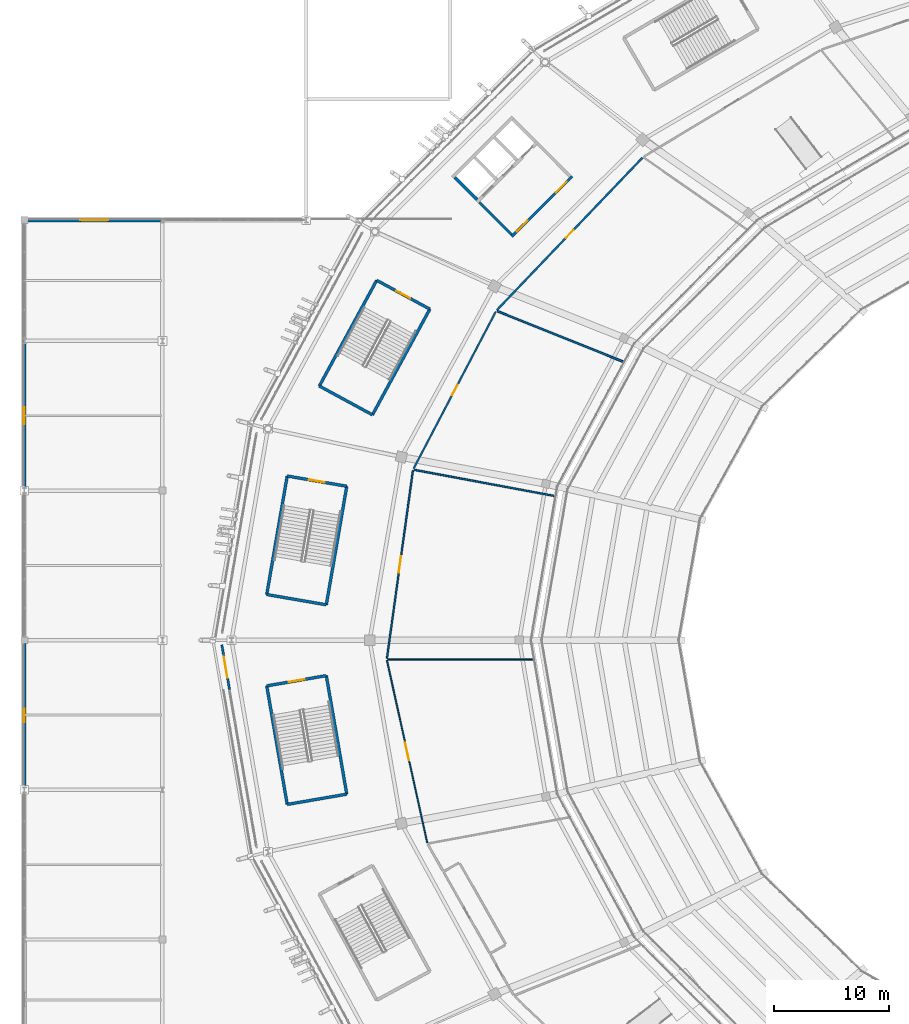
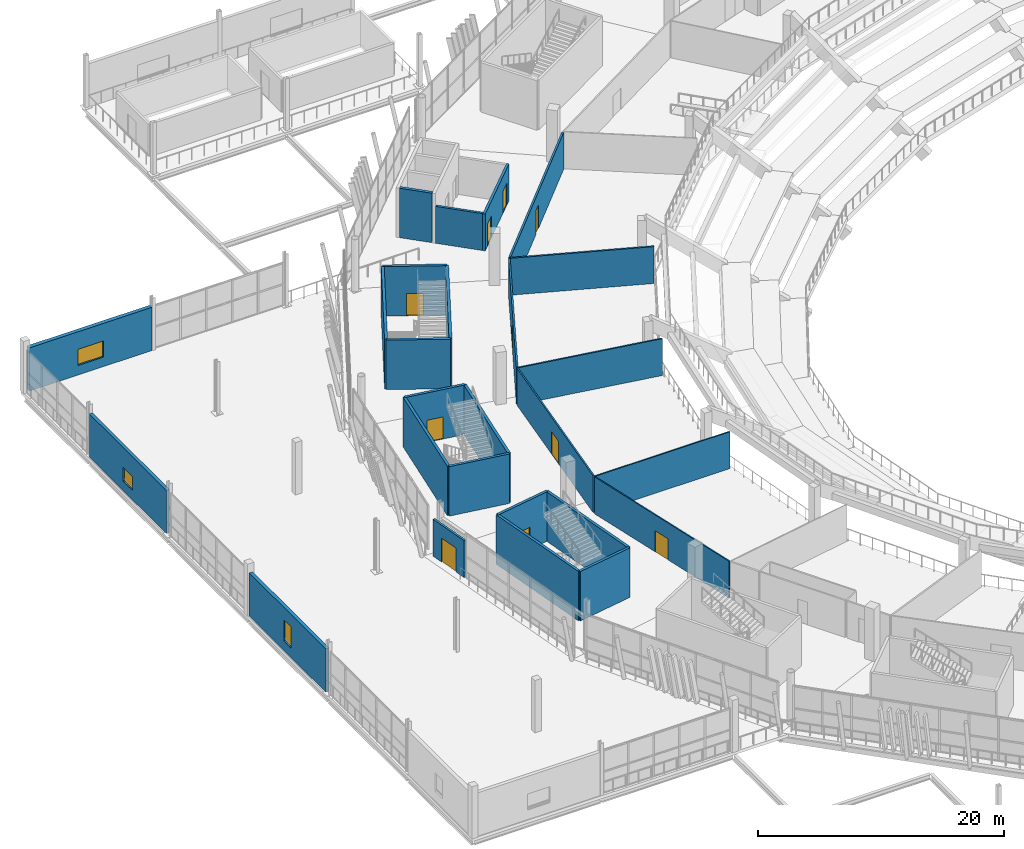
# One storey, part 124 of 178: 26 walls, 10 doors, 3 windows, 13 openings.
"""IFC4 building model written with IfcOpenShell, lengths in metres."""

from ifc_helpers import new_model, si_unit, direction, frame, frame_2d, origin, place, context, subcontext, project, spatial, rectangle, extrude, material, layer, layer_set, type_object, element, fill, save


model = new_model("IFC4")

# Units and contexts
model_context = context("Model", 3, precision=1e-05, world=origin(), true_north=direction((0.0, 1.0)))
body_context = subcontext(model_context, "Body", "Model", "MODEL_VIEW")
ifc_project = project(units=[si_unit("LENGTHUNIT", "METRE"), si_unit("AREAUNIT", "SQUARE_METRE"), si_unit("VOLUMEUNIT", "CUBIC_METRE"), si_unit("PLANEANGLEUNIT", "RADIAN"), si_unit("MASSUNIT", "GRAM", prefix="KILO")], contexts=[model_context])

# Site, building, storey
site_placement = place(None, origin())
site = spatial("IfcSite", under=ifc_project, at=site_placement, CompositionType="ELEMENT")
building_placement = place(site_placement, origin())
building = spatial("IfcBuilding", under=site, at=building_placement, Name="Zlatoyarsky Gate Stadium", CompositionType="ELEMENT")
storey_placement = place(building_placement, frame((0.0, 0.0, 5.39990234375)))
storey = spatial("IfcBuildingStorey", under=building, at=storey_placement, Name="L01", CompositionType="ELEMENT", Elevation=5.39990234375)

# Wall, opening, door
ifc_material_1 = material(Name="Double-stud acoustic gypsum partition", Category="gypsum")
ifc_layer_1 = layer(ifc_material_1, 0.169921875)
ifc_layer_set_1 = layer_set([ifc_layer_1], Name="Double-stud acoustic gypsum partition")
wall_type_1 = type_object("IfcWallType", Name="ACOUSTIC BROADCAST STUDIO WALL 170", PredefinedType="PARTITIONING", material=ifc_layer_set_1)
wall_1_placement = place(storey_placement, frame((53.696044921875, 121.91015625, 0.0), z_axis=(0.0, 0.0, 1.0), x_axis=(-0.690816054728, -0.723030551588, 0.0)))
wall_1 = element("IfcWall", 1, at=wall_1_placement, inside=storey, type_object=wall_type_1, Name="L01 interior partition PRT-L01-ICC-09", PredefinedType="PARTITIONING", context=body_context, shape_type="SweptSolid", body=[
    extrude(rectangle(XDim=18.287109375, YDim=0.169921875, at=frame_2d((9.1435546875, 0.0))), origin(), (0.0, 0.0, 1.0), 3.670166015625),
])
opening_1_placement = place(wall_1_placement, frame((8.66357421875, 0.0, 0.0)))
opening_1 = element("IfcOpeningElement", 2, at=opening_1_placement, cuts=wall_1, Name="Opening D-L01-240", PredefinedType="OPENING", context=body_context, shape_type="SweptSolid", body=[
    extrude(rectangle(XDim=0.9599609375, YDim=2.3798828125, at=frame_2d((0.47998046875, 1.18994140625))), frame((0.0, 0.094970703125, 0.0), z_axis=(0.0, -1.0, 0.0), x_axis=(1.0, 0.0, 0.0)), (0.0, 0.0, 1.0), 0.18994140625),
])
ifc_material_2 = material(Name="Powder-coated steel fire door", Category="steel")
door_type_1 = type_object("IfcDoorType", Name="ACOUSTIC INTERIOR DOOR 960X2380", OperationType="NOTDEFINED", PredefinedType="DOOR", material=ifc_material_2)
door_1_placement = place(opening_1_placement, origin())
door_1 = element("IfcDoor", 3, at=door_1_placement, inside=storey, type_object=door_type_1, Name="L01 room door D-L01-240", OperationType="SINGLE_SWING_LEFT", OverallHeight=2.3798828125, OverallWidth=0.9599609375, PredefinedType="DOOR", context=body_context, shape_type="SweptSolid", body=[
    extrude(rectangle(XDim=0.9599609375, YDim=2.3798828125, at=frame_2d((0.47998046875, 1.18994140625))), frame((0.0, 0.02490234375, 0.0), z_axis=(0.0, -1.0, 0.0), x_axis=(1.0, 0.0, 0.0)), (0.0, 0.0, 1.0), 0.050048828125),
])
fill(opening_1, door_1)

# Wall
ifc_material_3 = material(Name="Moisture-resistant masonry partition", Category="masonry")
ifc_layer_2 = layer(ifc_material_3, 0.139892578125)
ifc_layer_set_2 = layer_set([ifc_layer_2], Name="Moisture-resistant masonry partition")
wall_type_2 = type_object("IfcWallType", Name="ATHLETE CHANGING BLOCK PARTITION 140", PredefinedType="PARTITIONING", material=ifc_layer_set_2)
wall_2_placement = place(storey_placement, frame((46.075439453125, 92.527587890625, 0.0), z_axis=(0.0, 0.0, 1.0), x_axis=(-0.983061798628, 0.183274384678, 0.0)))
element("IfcWall", 4, at=wall_2_placement, inside=storey, type_object=wall_type_2, Name="L01 interior partition PRT-L01-IRD-11", PredefinedType="PARTITIONING", context=body_context, shape_type="SweptSolid", body=[
    extrude(rectangle(XDim=12.428466796875, YDim=0.139892578125, at=frame_2d((6.21435546875, 0.0))), origin(), (0.0, 0.0, 1.0), 3.670166015625),
])

# Wall, opening, door
ifc_material_4 = material(Name="Gypsum-clad mineral wool fire partition", Category="gypsum")
ifc_layer_3 = layer(ifc_material_4, 0.199951171875)
ifc_layer_set_3 = layer_set([ifc_layer_3], Name="Gypsum-clad mineral wool fire partition")
wall_type_3 = type_object("IfcWallType", Name="COMPARTMENT FIRE PARTITION WALL 200", PredefinedType="PARTITIONING", material=ifc_layer_set_3)
wall_3_placement = place(storey_placement, frame((17.16015625, 79.600830078125, 0.0), z_axis=(0.0, 0.0, 1.0), x_axis=(0.169425836606, -0.985542939648, 0.0)))
wall_3 = element("IfcWall", 5, at=wall_3_placement, inside=storey, type_object=wall_type_3, Name="L01 interior partition PRT-PORTAL-L01-12", PredefinedType="PARTITIONING", context=body_context, shape_type="SweptSolid", body=[
    extrude(rectangle(XDim=3.959716796875, YDim=0.199951171875, at=frame_2d((1.97998046875, 0.0))), origin(), (0.0, 0.0, 1.0), 3.670166015625),
])
opening_2_placement = place(wall_3_placement, frame((1.06982421875, 0.0, 0.0)))
opening_2 = element("IfcOpeningElement", 6, at=opening_2_placement, cuts=wall_3, Name="Opening D-L01-711", PredefinedType="OPENING", context=body_context, shape_type="SweptSolid", body=[
    extrude(rectangle(XDim=1.820068359375, YDim=2.3798828125, at=frame_2d((0.91015625, 1.18994140625))), frame((0.0, 0.10986328125, 0.0), z_axis=(0.0, -1.0, 0.0), x_axis=(1.0, 0.0, 0.0)), (0.0, 0.0, 1.0), 0.219970703125),
])
door_type_2 = type_object("IfcDoorType", Name="ACOUSTIC INTERIOR DOOR 1820X2380", OperationType="NOTDEFINED", PredefinedType="DOOR", material=ifc_material_2)
door_2_placement = place(opening_2_placement, origin())
door_2 = element("IfcDoor", 7, at=door_2_placement, inside=storey, type_object=door_type_2, Name="L01 room door D-L01-711", OperationType="SINGLE_SWING_LEFT", OverallHeight=2.3798828125, OverallWidth=1.820068359375, PredefinedType="DOOR", context=body_context, shape_type="SweptSolid", body=[
    extrude(rectangle(XDim=1.820068359375, YDim=2.3798828125, at=frame_2d((0.91015625, 1.18994140625))), frame((0.0, 0.02490234375, 0.0), z_axis=(0.0, -1.0, 0.0), x_axis=(1.0, 0.0, 0.0)), (0.0, 0.0, 1.0), 0.050048828125),
])
fill(opening_2, door_2)

ifc_material_5 = material(Name="Metal-stud gypsum partition", Category="gypsum")
ifc_layer_4 = layer(ifc_material_5, 0.14990234375)
ifc_layer_set_4 = layer_set([ifc_layer_4], Name="Metal-stud gypsum partition")
wall_type_4 = type_object("IfcWallType", Name="CONCOURSE CORRIDOR PARTITION 150", PredefinedType="PARTITIONING", material=ifc_layer_set_4)
wall_4_placement = place(storey_placement, frame((40.96484375, 108.55126953125, 0.0), z_axis=(0.0, 0.0, 1.0), x_axis=(-0.463973851802, -0.88584889504, 0.0)))
wall_4 = element("IfcWall", 8, at=wall_4_placement, inside=storey, type_object=wall_type_4, Name="L01 vomitory portal wall PRT-L01-ICC-10", PredefinedType="PARTITIONING", context=body_context, shape_type="SweptSolid", body=[
    extrude(rectangle(XDim=15.414306640625, YDim=0.14990234375, at=frame_2d((7.70703125, 0.0))), origin(), (0.0, 0.0, 1.0), 3.670166015625),
])
opening_3_placement = place(wall_4_placement, frame((7.197021484375, 0.0, 0.0)))
opening_3 = element("IfcOpeningElement", 9, at=opening_3_placement, cuts=wall_4, Name="Opening D-L01-242", PredefinedType="OPENING", context=body_context, shape_type="SweptSolid", body=[
    extrude(rectangle(XDim=1.02001953125, YDim=2.239990234375, at=frame_2d((0.510009765625, 1.1201171875))), frame((0.0, 0.0849609375, 0.0), z_axis=(0.0, -1.0, 0.0), x_axis=(1.0, 0.0, 0.0)), (0.0, 0.0, 1.0), 0.169921875),
])
door_type_3 = type_object("IfcDoorType", Name="ACOUSTIC INTERIOR DOOR 1020X2240", OperationType="NOTDEFINED", PredefinedType="DOOR", material=ifc_material_2)
door_3_placement = place(opening_3_placement, origin())
door_3 = element("IfcDoor", 10, at=door_3_placement, inside=storey, type_object=door_type_3, Name="L01 vomitory portal door D-L01-242", OperationType="SINGLE_SWING_RIGHT", OverallHeight=2.239990234375, OverallWidth=1.02001953125, PredefinedType="DOOR", context=body_context, shape_type="SweptSolid", body=[
    extrude(rectangle(XDim=1.02001953125, YDim=2.239990234375, at=frame_2d((0.510009765625, 1.1201171875))), frame((0.0, 0.02490234375, 0.0), z_axis=(0.0, -1.0, 0.0), x_axis=(1.0, 0.0, 0.0)), (0.0, 0.0, 1.0), 0.050048828125),
])
fill(opening_3, door_3)

# Wall
ifc_material_6 = material(Name="Concrete C40/50", Category="concrete")
ifc_layer_5 = layer(ifc_material_6, 0.27001953125)
ifc_layer_set_5 = layer_set([ifc_layer_5], Name="Concrete C40/50")
wall_type_5 = type_object("IfcWallType", Name="CONCRETE LIFT SHAFT SHEAR WALL 270", PredefinedType="SHEAR", material=ifc_layer_set_5)
wall_5_placement = place(storey_placement, frame((37.405029296875, 120.216796875, 0.0), z_axis=(0.0, 0.0, 1.0), x_axis=(0.705322518225, -0.708886553183, 0.0)))
element("IfcWall", 11, at=wall_5_placement, inside=storey, type_object=wall_type_5, Name="C2 L01 lift shaft right wall", PredefinedType="SHEAR", context=body_context, shape_type="SweptSolid", body=[
    extrude(rectangle(XDim=2.739990234375, YDim=0.27001953125, at=frame_2d((1.3701171875, 0.0))), origin(), (0.0, 0.0, 1.0), 4.920166015625),
])

# Wall, opening, door
ifc_layer_6 = layer(ifc_material_6, 0.25)
ifc_layer_set_6 = layer_set([ifc_layer_6], Name="Concrete C40/50")
wall_type_6 = type_object("IfcWallType", Name="CONCRETE STAIR CORE SHEAR WALL 250", PredefinedType="SHEAR", material=ifc_layer_set_6)
wall_6_placement = place(storey_placement, frame((35.229736328125, 108.764892578125, 0.0), z_axis=(0.0, 0.0, 1.0), x_axis=(-0.878941993928, 0.476928685769, 0.0)))
wall_6 = element("IfcWall", 12, at=wall_6_placement, inside=storey, type_object=wall_type_6, Name="ST-06 L01 stair core entrance shear wall", PredefinedType="SHEAR", context=body_context, shape_type="SweptSolid", body=[
    extrude(rectangle(XDim=5.25, YDim=0.25, at=frame_2d((2.625, 0.0))), origin(), (0.0, 0.0, 1.0), 4.920166015625),
])
opening_4_placement = place(wall_6_placement, frame((1.925048828125, 0.0, 0.0)))
opening_4 = element("IfcOpeningElement", 13, at=opening_4_placement, cuts=wall_6, Name="Opening SD-ST-06-L01", PredefinedType="OPENING", context=body_context, shape_type="SweptSolid", body=[
    extrude(rectangle(XDim=1.39990234375, YDim=2.199951171875, at=frame_2d((0.699951171875, 1.10009765625))), frame((0.0, 0.135009765625, 0.0), z_axis=(0.0, -1.0, 0.0), x_axis=(1.0, 0.0, 0.0)), (0.0, 0.0, 1.0), 0.27001953125),
])
door_type_4 = type_object("IfcDoorType", Name="STAIR CORE FIRE EXIT DOOR 1400X2200", OperationType="NOTDEFINED", PredefinedType="DOOR", material=ifc_material_2)
door_4_placement = place(opening_4_placement, frame((1.39990234375, 0.0, 0.0), z_axis=(0.0, 0.0, 1.0), x_axis=(-1.0, 0.0, 0.0)))
door_4 = element("IfcDoor", 14, at=door_4_placement, inside=storey, type_object=door_type_4, Name="ST-06 L01 stair fire door", OperationType="SINGLE_SWING_RIGHT", OverallHeight=2.199951171875, OverallWidth=1.39990234375, PredefinedType="DOOR", context=body_context, shape_type="SweptSolid", body=[
    extrude(rectangle(XDim=1.39990234375, YDim=2.199951171875, at=frame_2d((0.699951171875, 1.10009765625))), frame((0.0, 0.02490234375, 0.0), z_axis=(0.0, -1.0, 0.0), x_axis=(1.0, 0.0, 0.0)), (0.0, 0.0, 1.0), 0.050048828125),
])
fill(opening_4, door_4)

# Walls
wall_7_placement = place(storey_placement, frame((30.615234375, 111.268798828125, 0.0), z_axis=(0.0, 0.0, 1.0), x_axis=(-0.476876856974, -0.878970115125, 0.0)))
element("IfcWall", 15, at=wall_7_placement, inside=storey, type_object=wall_type_6, Name="ST-06 L01 stair core left shear wall", PredefinedType="SHEAR", context=body_context, shape_type="SweptSolid", body=[
    extrude(rectangle(XDim=10.4501953125, YDim=0.25, at=frame_2d((5.22509765625, 0.0))), origin(), (0.0, 0.0, 1.0), 4.920166015625),
])
wall_8_placement = place(storey_placement, frame((25.6318359375, 102.08349609375, 0.0), z_axis=(0.0, 0.0, 1.0), x_axis=(0.878961487093, -0.47689275965, 0.0)))
element("IfcWall", 16, at=wall_8_placement, inside=storey, type_object=wall_type_6, Name="ST-06 L01 stair core far shear wall", PredefinedType="SHEAR", context=body_context, shape_type="SweptSolid", body=[
    extrude(rectangle(XDim=5.25, YDim=0.25, at=frame_2d((2.625, 0.0))), origin(), (0.0, 0.0, 1.0), 4.920166015625),
])
wall_9_placement = place(storey_placement, frame((30.246337890625, 99.579833984375, 0.0), z_axis=(0.0, 0.0, 1.0), x_axis=(0.476886649814, 0.878964802042, 0.0)))
element("IfcWall", 17, at=wall_9_placement, inside=storey, type_object=wall_type_6, Name="ST-06 L01 stair core right shear wall", PredefinedType="SHEAR", context=body_context, shape_type="SweptSolid", body=[
    extrude(rectangle(XDim=10.449951171875, YDim=0.25, at=frame_2d((5.22509765625, 0.0))), origin(), (0.0, 0.0, 1.0), 4.920166015625),
])

# Wall, opening, door
wall_10_placement = place(storey_placement, frame((26.237548828125, 76.92333984375, 0.0), z_axis=(0.0, 0.0, 1.0), x_axis=(-0.985457162135, -0.16992404655, 0.0)))
wall_10 = element("IfcWall", 18, at=wall_10_placement, inside=storey, type_object=wall_type_6, Name="ST-07 L01 stair core entrance shear wall", PredefinedType="SHEAR", context=body_context, shape_type="SweptSolid", body=[
    extrude(rectangle(XDim=5.25, YDim=0.25, at=frame_2d((2.625, 0.0))), origin(), (0.0, 0.0, 1.0), 4.920166015625),
])
opening_5_placement = place(wall_10_placement, frame((1.925048828125, 0.0, 0.0)))
opening_5 = element("IfcOpeningElement", 19, at=opening_5_placement, cuts=wall_10, Name="Opening SD-ST-07-L01", PredefinedType="OPENING", context=body_context, shape_type="SweptSolid", body=[
    extrude(rectangle(XDim=1.39990234375, YDim=2.199951171875, at=frame_2d((0.699951171875, 1.10009765625))), frame((0.0, 0.135009765625, 0.0), z_axis=(0.0, -1.0, 0.0), x_axis=(1.0, 0.0, 0.0)), (0.0, 0.0, 1.0), 0.27001953125),
])
door_5_placement = place(opening_5_placement, frame((1.39990234375, 0.0, 0.0), z_axis=(0.0, 0.0, 1.0), x_axis=(-1.0, 0.0, 0.0)))
door_5 = element("IfcDoor", 20, at=door_5_placement, inside=storey, type_object=door_type_4, Name="ST-07 L01 stair fire door", OperationType="SINGLE_SWING_LEFT", OverallHeight=2.199951171875, OverallWidth=1.39990234375, PredefinedType="DOOR", context=body_context, shape_type="SweptSolid", body=[
    extrude(rectangle(XDim=1.39990234375, YDim=2.199951171875, at=frame_2d((0.699951171875, 1.10009765625))), frame((0.0, 0.02490234375, 0.0), z_axis=(0.0, -1.0, 0.0), x_axis=(1.0, 0.0, 0.0)), (0.0, 0.0, 1.0), 0.050048828125),
])
fill(opening_5, door_5)

# Walls
wall_11_placement = place(storey_placement, frame((21.06396484375, 76.03125, 0.0), z_axis=(0.0, 0.0, 1.0), x_axis=(0.169938992676, -0.985454584833, 0.0)))
element("IfcWall", 21, at=wall_11_placement, inside=storey, type_object=wall_type_6, Name="ST-07 L01 stair core left shear wall", PredefinedType="SHEAR", context=body_context, shape_type="SweptSolid", body=[
    extrude(rectangle(XDim=10.4501953125, YDim=0.25, at=frame_2d((5.22509765625, 0.0))), origin(), (0.0, 0.0, 1.0), 4.920166015625),
])
wall_12_placement = place(storey_placement, frame((22.83984375, 65.733154296875, 0.0), z_axis=(0.0, 0.0, 1.0), x_axis=(0.985457162135, 0.16992404655, 0.0)))
element("IfcWall", 22, at=wall_12_placement, inside=storey, type_object=wall_type_6, Name="ST-07 L01 stair core far shear wall", PredefinedType="SHEAR", context=body_context, shape_type="SweptSolid", body=[
    extrude(rectangle(XDim=5.25, YDim=0.25, at=frame_2d((2.625, 0.0))), origin(), (0.0, 0.0, 1.0), 4.920166015625),
])
wall_13_placement = place(storey_placement, frame((28.013427734375, 66.625244140625, 0.0), z_axis=(0.0, 0.0, 1.0), x_axis=(-0.169938992676, 0.985454584833, 0.0)))
element("IfcWall", 23, at=wall_13_placement, inside=storey, type_object=wall_type_6, Name="ST-07 L01 stair core right shear wall", PredefinedType="SHEAR", context=body_context, shape_type="SweptSolid", body=[
    extrude(rectangle(XDim=10.4501953125, YDim=0.25, at=frame_2d((5.22509765625, 0.0))), origin(), (0.0, 0.0, 1.0), 4.920166015625),
])

# Wall, opening, door
wall_14_placement = place(storey_placement, frame((28.01318359375, 93.374755859375, 0.0), z_axis=(0.0, 0.0, 1.0), x_axis=(-0.985457162135, 0.16992404655, 0.0)))
wall_14 = element("IfcWall", 24, at=wall_14_placement, inside=storey, type_object=wall_type_6, Name="ST-18 L01 stair core entrance shear wall", PredefinedType="SHEAR", context=body_context, shape_type="SweptSolid", body=[
    extrude(rectangle(XDim=5.25, YDim=0.25, at=frame_2d((2.625, 0.0))), origin(), (0.0, 0.0, 1.0), 4.920166015625),
])
opening_6_placement = place(wall_14_placement, frame((1.925048828125, 0.0, 0.0)))
opening_6 = element("IfcOpeningElement", 25, at=opening_6_placement, cuts=wall_14, Name="Opening SD-ST-18-L01", PredefinedType="OPENING", context=body_context, shape_type="SweptSolid", body=[
    extrude(rectangle(XDim=1.39990234375, YDim=2.199951171875, at=frame_2d((0.699951171875, 1.10009765625))), frame((0.0, 0.135009765625, 0.0), z_axis=(0.0, -1.0, 0.0), x_axis=(1.0, 0.0, 0.0)), (0.0, 0.0, 1.0), 0.27001953125),
])
door_6_placement = place(opening_6_placement, frame((1.39990234375, 0.0, 0.0), z_axis=(0.0, 0.0, 1.0), x_axis=(-1.0, 0.0, 0.0)))
door_6 = element("IfcDoor", 26, at=door_6_placement, inside=storey, type_object=door_type_4, Name="ST-18 L01 stair fire door", OperationType="SINGLE_SWING_LEFT", OverallHeight=2.199951171875, OverallWidth=1.39990234375, PredefinedType="DOOR", context=body_context, shape_type="SweptSolid", body=[
    extrude(rectangle(XDim=1.39990234375, YDim=2.199951171875, at=frame_2d((0.699951171875, 1.10009765625))), frame((0.0, 0.02490234375, 0.0), z_axis=(0.0, -1.0, 0.0), x_axis=(1.0, 0.0, 0.0)), (0.0, 0.0, 1.0), 0.050048828125),
])
fill(opening_6, door_6)

# Walls
wall_15_placement = place(storey_placement, frame((22.839599609375, 94.266845703125, 0.0), z_axis=(0.0, 0.0, 1.0), x_axis=(-0.169938992676, -0.985454584833, 0.0)))
element("IfcWall", 27, at=wall_15_placement, inside=storey, type_object=wall_type_6, Name="ST-18 L01 stair core left shear wall", PredefinedType="SHEAR", context=body_context, shape_type="SweptSolid", body=[
    extrude(rectangle(XDim=10.4501953125, YDim=0.25, at=frame_2d((5.22509765625, 0.0))), origin(), (0.0, 0.0, 1.0), 4.920166015625),
])
wall_16_placement = place(storey_placement, frame((21.063720703125, 83.96875, 0.0), z_axis=(0.0, 0.0, 1.0), x_axis=(0.985458504796, -0.169916259745, 0.0)))
element("IfcWall", 28, at=wall_16_placement, inside=storey, type_object=wall_type_6, Name="ST-18 L01 stair core far shear wall", PredefinedType="SHEAR", context=body_context, shape_type="SweptSolid", body=[
    extrude(rectangle(XDim=5.250244140625, YDim=0.25, at=frame_2d((2.625, 0.0))), origin(), (0.0, 0.0, 1.0), 4.920166015625),
])
wall_17_placement = place(storey_placement, frame((26.237548828125, 83.07666015625, 0.0), z_axis=(0.0, 0.0, 1.0), x_axis=(0.16991630471, 0.985458497043, 0.0)))
element("IfcWall", 29, at=wall_17_placement, inside=storey, type_object=wall_type_6, Name="ST-18 L01 stair core right shear wall", PredefinedType="SHEAR", context=body_context, shape_type="SweptSolid", body=[
    extrude(rectangle(XDim=10.449951171875, YDim=0.25, at=frame_2d((5.22509765625, 0.0))), origin(), (0.0, 0.0, 1.0), 4.920166015625),
])
ifc_material_7 = material(Name="Autoclaved aerated concrete masonry EI 120", Category="masonry")
ifc_layer_7 = layer(ifc_material_7, 0.219970703125)
ifc_layer_set_7 = layer_set([ifc_layer_7], Name="Autoclaved aerated concrete masonry EI 120")
wall_type_7 = type_object("IfcWallType", Name="FIREFIGHTING LOBBY RATED WALL 220", PredefinedType="PARTITIONING", material=ifc_layer_set_7)
wall_18_placement = place(storey_placement, frame((39.531494140625, 118.044189453125, 0.0), z_axis=(0.0, 0.0, 1.0), x_axis=(0.705294916294, -0.708914015273, 0.0)))
element("IfcWall", 30, at=wall_18_placement, inside=storey, type_object=wall_type_7, Name="C2 L01 firefighting lobby right wall", PredefinedType="PARTITIONING", context=body_context, shape_type="SweptSolid", body=[
    extrude(rectangle(XDim=3.97998046875, YDim=0.219970703125, at=frame_2d((1.989990234375, 0.0))), origin(), (0.0, 0.0, 1.0), 3.670166015625),
])

# Wall, openings, doors
wall_19_placement = place(storey_placement, frame((47.583984375, 120.286376953125, 0.0), z_axis=(0.0, 0.0, 1.0), x_axis=(-0.708902567846, -0.705306422274, 0.0)))
wall_19 = element("IfcWall", 31, at=wall_19_placement, inside=storey, type_object=wall_type_7, Name="C2 L01 firefighting lobby front wall", PredefinedType="PARTITIONING", context=body_context, shape_type="SweptSolid", body=[
    extrude(rectangle(XDim=7.39990234375, YDim=0.219970703125, at=frame_2d((3.699951171875, 0.0))), origin(), (0.0, 0.0, 1.0), 3.670166015625),
])
opening_7_placement = place(wall_19_placement, frame((0.64990234375, 0.0, 0.0)))
opening_7 = element("IfcOpeningElement", 32, at=opening_7_placement, cuts=wall_19, Name="Opening FD-C2-L01-A", PredefinedType="OPENING", context=body_context, shape_type="SweptSolid", body=[
    extrude(rectangle(XDim=1.300048828125, YDim=2.199951171875, at=frame_2d((0.64990234375, 1.10009765625))), frame((0.0, 0.119873046875, 0.0), z_axis=(0.0, -1.0, 0.0), x_axis=(1.0, 0.0, 0.0)), (0.0, 0.0, 1.0), 0.239990234375),
])
opening_8_placement = place(wall_19_placement, frame((5.449951171875, 0.0, 0.0)))
opening_8 = element("IfcOpeningElement", 33, at=opening_8_placement, cuts=wall_19, Name="Opening FD-C2-L01-B", PredefinedType="OPENING", context=body_context, shape_type="SweptSolid", body=[
    extrude(rectangle(XDim=1.300048828125, YDim=2.199951171875, at=frame_2d((0.64990234375, 1.10009765625))), frame((0.0, 0.119873046875, 0.0), z_axis=(0.0, -1.0, 0.0), x_axis=(1.0, 0.0, 0.0)), (0.0, 0.0, 1.0), 0.239990234375),
])
door_type_5 = type_object("IfcDoorType", Name="FIREFIGHTING LOBBY FIRE DOOR 1300X2200", OperationType="NOTDEFINED", PredefinedType="DOOR", material=ifc_material_2)
door_7_placement = place(opening_7_placement, origin())
door_7 = element("IfcDoor", 34, at=door_7_placement, inside=storey, type_object=door_type_5, Name="C2 L01 firefighting lobby fire door FD-C2-L01-A", OperationType="SINGLE_SWING_LEFT", OverallHeight=2.199951171875, OverallWidth=1.300048828125, PredefinedType="DOOR", context=body_context, shape_type="SweptSolid", body=[
    extrude(rectangle(XDim=1.300048828125, YDim=2.199951171875, at=frame_2d((0.64990234375, 1.10009765625))), frame((0.0, 0.02490234375, 0.0), z_axis=(0.0, -1.0, 0.0), x_axis=(1.0, 0.0, 0.0)), (0.0, 0.0, 1.0), 0.050048828125),
])
fill(opening_7, door_7)
door_8_placement = place(opening_8_placement, origin())
door_8 = element("IfcDoor", 35, at=door_8_placement, inside=storey, type_object=door_type_5, Name="C2 L01 firefighting lobby fire door FD-C2-L01-B", OperationType="SINGLE_SWING_RIGHT", OverallHeight=2.199951171875, OverallWidth=1.300048828125, PredefinedType="DOOR", context=body_context, shape_type="SweptSolid", body=[
    extrude(rectangle(XDim=1.300048828125, YDim=2.199951171875, at=frame_2d((0.64990234375, 1.10009765625))), frame((0.0, 0.02490234375, 0.0), z_axis=(0.0, -1.0, 0.0), x_axis=(1.0, 0.0, 0.0)), (0.0, 0.0, 1.0), 0.050048828125),
])
fill(opening_8, door_8)

# Wall
ifc_material_8 = material(Name="Acoustic metal-stud gypsum partition", Category="gypsum")
ifc_layer_8 = layer(ifc_material_8, 0.159912109375)
ifc_layer_set_8 = layer_set([ifc_layer_8], Name="Acoustic metal-stud gypsum partition")
wall_type_8 = type_object("IfcWallType", Name="HOSPITALITY SUITE PARTITION 160", PredefinedType="PARTITIONING", material=ifc_layer_set_8)
wall_20_placement = place(storey_placement, frame((52.038330078125, 104.1923828125, 0.0), z_axis=(0.0, 0.0, 1.0), x_axis=(-0.927885124377, 0.372866190421, 0.0)))
element("IfcWall", 36, at=wall_20_placement, inside=storey, type_object=wall_type_8, Name="L01 interior partition PRT-L01-IRD-10", PredefinedType="PARTITIONING", context=body_context, shape_type="SweptSolid", body=[
    extrude(rectangle(XDim=11.806884765625, YDim=0.159912109375, at=frame_2d((5.9033203125, 0.0))), origin(), (0.0, 0.0, 1.0), 3.670166015625),
])

# Wall, opening, window
ifc_material_9 = material(Name="Limestone-faced insulated masonry wall", Category="masonry")
ifc_layer_9 = layer(ifc_material_9, 0.300048828125)
ifc_layer_set_9 = layer_set([ifc_layer_9], Name="Limestone-faced insulated masonry wall")
wall_type_9 = type_object("IfcWallType", Name="INSULATED PAVILION FACADE WALL 300", PredefinedType="STANDARD", material=ifc_layer_set_9)
wall_21_placement = place(storey_placement, frame((0.0, 93.221923828125, 0.0), z_axis=(0.0, 0.0, 1.0), x_axis=(0.0, 1.0, 0.0)))
wall_21 = element("IfcWall", 37, at=wall_21_placement, inside=storey, type_object=wall_type_9, Name="V4_WEST L01 W_LO exterior wall", PredefinedType="STANDARD", context=body_context, shape_type="SweptSolid", body=[
    extrude(rectangle(XDim=12.55615234375, YDim=0.300048828125, at=frame_2d((6.278076171875, 0.0))), origin(), (0.0, 0.0, 1.0), 4.300048828125),
])
opening_9_placement = place(wall_21_placement, frame((5.528076171875, 0.0, 0.949951171875)))
opening_9 = element("IfcOpeningElement", 38, at=opening_9_placement, cuts=wall_21, Name="Opening WN-05", PredefinedType="OPENING", context=body_context, shape_type="SweptSolid", body=[
    extrude(rectangle(XDim=1.5, YDim=1.35009765625, at=frame_2d((0.75, 0.675048828125))), frame((0.0, 0.159912109375, 0.0), z_axis=(0.0, -1.0, 0.0), x_axis=(1.0, 0.0, 0.0)), (0.0, 0.0, 1.0), 0.320068359375),
])
ifc_material_10 = material(Name="Triple-glazed thermally broken aluminium window", Category="aluminium")
window_type_1 = type_object("IfcWindowType", Name="TRIPLE GLAZED ALUMINIUM WINDOW 1500X1350", PartitioningType="SINGLE_PANEL", PredefinedType="WINDOW", material=ifc_material_10)
window_1_placement = place(opening_9_placement, origin())
window_1 = element("IfcWindow", 39, at=window_1_placement, inside=storey, type_object=window_type_1, Name="Exterior window WIN-L01-033", OverallHeight=1.35009765625, OverallWidth=1.5, PartitioningType="SINGLE_PANEL", PredefinedType="WINDOW", context=body_context, shape_type="SweptSolid", body=[
    extrude(rectangle(XDim=1.5, YDim=1.35009765625, at=frame_2d((0.75, 0.675048828125))), frame((0.0, 0.030029296875, 0.0), z_axis=(0.0, -1.0, 0.0), x_axis=(1.0, 0.0, 0.0)), (0.0, 0.0, 1.0), 0.06005859375),
])
fill(opening_9, window_1)

# Wall, opening, door
ifc_layer_10 = layer(ifc_material_5, 0.110107421875)
ifc_layer_set_10 = layer_set([ifc_layer_10], Name="Metal-stud gypsum partition")
wall_type_10 = type_object("IfcWallType", Name="KIOSK SERVICE PARTITION 110", PredefinedType="PARTITIONING", material=ifc_layer_set_10)
wall_22_placement = place(storey_placement, frame((31.50927734375, 78.2421875, 0.0), z_axis=(0.0, 0.0, 1.0), x_axis=(0.215474890511, -0.976509381194, 0.0)))
wall_22 = element("IfcWall", 40, at=wall_22_placement, inside=storey, type_object=wall_type_10, Name="L01 vomitory portal wall PRT-L01-ICC-12", PredefinedType="PARTITIONING", context=body_context, shape_type="SweptSolid", body=[
    extrude(rectangle(XDim=16.217041015625, YDim=0.110107421875, at=frame_2d((8.1083984375, 0.0))), origin(), (0.0, 0.0, 1.0), 3.670166015625),
])
opening_10_placement = place(wall_22_placement, frame((7.32861328125, 0.0, 0.0)))
opening_10 = element("IfcOpeningElement", 41, at=opening_10_placement, cuts=wall_22, Name="Opening D-L01-246", PredefinedType="OPENING", context=body_context, shape_type="SweptSolid", body=[
    extrude(rectangle(XDim=1.56005859375, YDim=2.10009765625, at=frame_2d((0.780029296875, 1.050048828125))), frame((0.0, 0.06494140625, 0.0), z_axis=(0.0, -1.0, 0.0), x_axis=(1.0, 0.0, 0.0)), (0.0, 0.0, 1.0), 0.130126953125),
])
ifc_material_11 = material(Name="Solid-core oak veneer acoustic door", Category="wood")
door_type_6 = type_object("IfcDoorType", Name="ACOUSTIC INTERIOR DOOR 1560X2100", OperationType="NOTDEFINED", PredefinedType="DOOR", material=ifc_material_11)
door_9_placement = place(opening_10_placement, origin())
door_9 = element("IfcDoor", 42, at=door_9_placement, inside=storey, type_object=door_type_6, Name="L01 vomitory portal door D-L01-246", OperationType="SINGLE_SWING_RIGHT", OverallHeight=2.10009765625, OverallWidth=1.56005859375, PredefinedType="DOOR", context=body_context, shape_type="SweptSolid", body=[
    extrude(rectangle(XDim=1.56005859375, YDim=2.10009765625, at=frame_2d((0.780029296875, 1.050048828125))), frame((0.0, 0.02490234375, 0.0), z_axis=(0.0, -1.0, 0.0), x_axis=(1.0, 0.0, 0.0)), (0.0, 0.0, 1.0), 0.050048828125),
])
fill(opening_10, door_9)

# Wall, opening, window
ifc_layer_11 = layer(ifc_material_9, 0.360107421875)
ifc_layer_set_11 = layer_set([ifc_layer_11], Name="Limestone-faced insulated masonry wall")
wall_type_11 = type_object("IfcWallType", Name="LIMESTONE CLAD CAVITY WALL 360", PredefinedType="STANDARD", material=ifc_layer_set_11)
wall_23_placement = place(storey_placement, frame((0.297119140625, 116.5, 0.0), z_axis=(0.0, 0.0, 1.0), x_axis=(1.0, 0.0, 0.0)))
wall_23 = element("IfcWall", 43, at=wall_23_placement, inside=storey, type_object=wall_type_11, Name="V4_WEST L01 N exterior wall", PredefinedType="STANDARD", context=body_context, shape_type="SweptSolid", body=[
    extrude(rectangle(XDim=11.555908203125, YDim=0.360107421875, at=frame_2d((5.77783203125, 0.0))), origin(), (0.0, 0.0, 1.0), 4.300048828125),
])
opening_11_placement = place(wall_23_placement, frame((4.577880859375, 0.0, 0.949951171875)))
opening_11 = element("IfcOpeningElement", 44, at=opening_11_placement, cuts=wall_23, Name="Opening WN-18", PredefinedType="OPENING", context=body_context, shape_type="SweptSolid", body=[
    extrude(rectangle(XDim=2.39990234375, YDim=1.60009765625, at=frame_2d((1.199951171875, 0.800048828125))), frame((0.0, 0.18994140625, 0.0), z_axis=(0.0, -1.0, 0.0), x_axis=(1.0, 0.0, 0.0)), (0.0, 0.0, 1.0), 0.380126953125),
])
window_type_2 = type_object("IfcWindowType", Name="TRIPLE GLAZED ALUMINIUM WINDOW 2400X1600", PartitioningType="SINGLE_PANEL", PredefinedType="WINDOW", material=ifc_material_10)
window_2_placement = place(opening_11_placement, origin())
window_2 = element("IfcWindow", 45, at=window_2_placement, inside=storey, type_object=window_type_2, Name="Exterior window WIN-L01-046", OverallHeight=1.60009765625, OverallWidth=2.39990234375, PartitioningType="SINGLE_PANEL", PredefinedType="WINDOW", context=body_context, shape_type="SweptSolid", body=[
    extrude(rectangle(XDim=2.39990234375, YDim=1.60009765625, at=frame_2d((1.199951171875, 0.800048828125))), frame((0.0, 0.030029296875, 0.0), z_axis=(0.0, -1.0, 0.0), x_axis=(1.0, 0.0, 0.0)), (0.0, 0.0, 1.0), 0.06005859375),
])
fill(opening_11, window_2)

# Wall
ifc_layer_12 = layer(ifc_material_5, 0.1201171875)
ifc_layer_set_12 = layer_set([ifc_layer_12], Name="Metal-stud gypsum partition")
wall_type_12 = type_object("IfcWallType", Name="OFFICE AND PRESS PARTITION 120", PredefinedType="PARTITIONING", material=ifc_layer_set_12)
wall_24_placement = place(storey_placement, frame((44.221435546875, 78.32421875, 0.0), z_axis=(0.0, 0.0, 1.0), x_axis=(-0.999999997018, 7.722604e-05, 0.0)))
element("IfcWall", 46, at=wall_24_placement, inside=storey, type_object=wall_type_12, Name="L01 interior partition PRT-L01-IRD-12", PredefinedType="PARTITIONING", context=body_context, shape_type="SweptSolid", body=[
    extrude(rectangle(XDim=12.6455078125, YDim=0.1201171875, at=frame_2d((6.32275390625, 0.0))), origin(), (0.0, 0.0, 1.0), 3.670166015625),
])

# Wall, opening, window
ifc_material_12 = material(Name="Precast concrete C40/50 architectural panel", Category="concrete")
ifc_layer_13 = layer(ifc_material_12, 0.320068359375)
ifc_layer_set_13 = layer_set([ifc_layer_13], Name="Precast concrete C40/50 architectural panel")
wall_type_13 = type_object("IfcWallType", Name="PRECAST TERRACOTTA FACADE WALL 320", PredefinedType="STANDARD", material=ifc_layer_set_13)
wall_25_placement = place(storey_placement, frame((0.0, 67.221923828125, 0.0), z_axis=(0.0, 0.0, 1.0), x_axis=(0.0, 1.0, 0.0)))
wall_25 = element("IfcWall", 47, at=wall_25_placement, inside=storey, type_object=wall_type_13, Name="V4_WEST L01 W_LO exterior wall", PredefinedType="STANDARD", context=body_context, shape_type="SweptSolid", body=[
    extrude(rectangle(XDim=12.48095703125, YDim=0.320068359375, at=frame_2d((6.240478515625, 0.0))), origin(), (0.0, 0.0, 1.0), 4.300048828125),
])
opening_12_placement = place(wall_25_placement, frame((5.640380859375, 0.0, 0.949951171875)))
opening_12 = element("IfcOpeningElement", 48, at=opening_12_placement, cuts=wall_25, Name="Opening WN-04", PredefinedType="OPENING", context=body_context, shape_type="SweptSolid", body=[
    extrude(rectangle(XDim=1.199951171875, YDim=2.10009765625, at=frame_2d((0.60009765625, 1.050048828125))), frame((0.0, 0.169921875, 0.0), z_axis=(0.0, -1.0, 0.0), x_axis=(1.0, 0.0, 0.0)), (0.0, 0.0, 1.0), 0.340087890625),
])
window_type_3 = type_object("IfcWindowType", Name="TRIPLE GLAZED ALUMINIUM WINDOW 1200X2100", PartitioningType="SINGLE_PANEL", PredefinedType="WINDOW", material=ifc_material_10)
window_3_placement = place(opening_12_placement, origin())
window_3 = element("IfcWindow", 49, at=window_3_placement, inside=storey, type_object=window_type_3, Name="Exterior window WIN-L01-032", OverallHeight=2.10009765625, OverallWidth=1.199951171875, PartitioningType="SINGLE_PANEL", PredefinedType="WINDOW", context=body_context, shape_type="SweptSolid", body=[
    extrude(rectangle(XDim=1.199951171875, YDim=2.10009765625, at=frame_2d((0.60009765625, 1.050048828125))), frame((0.0, 0.030029296875, 0.0), z_axis=(0.0, -1.0, 0.0), x_axis=(1.0, 0.0, 0.0)), (0.0, 0.0, 1.0), 0.06005859375),
])
fill(opening_12, window_3)

# Wall, opening, door
ifc_material_13 = material(Name="Moisture-resistant tile-backed partition", Category="gypsum")
ifc_layer_14 = layer(ifc_material_13, 0.1298828125)
ifc_layer_set_14 = layer_set([ifc_layer_14], Name="Moisture-resistant tile-backed partition")
wall_type_14 = type_object("IfcWallType", Name="SANITARY WET ROOM PARTITION 130", PredefinedType="PARTITIONING", material=ifc_layer_set_14)
wall_26_placement = place(storey_placement, frame((33.761962890625, 94.73681640625, 0.0), z_axis=(0.0, 0.0, 1.0), x_axis=(-0.137065413617, -0.990561998257, 0.0)))
wall_26 = element("IfcWall", 50, at=wall_26_placement, inside=storey, type_object=wall_type_14, Name="L01 interior partition PRT-L01-ICC-11", PredefinedType="PARTITIONING", context=body_context, shape_type="SweptSolid", body=[
    extrude(rectangle(XDim=16.483154296875, YDim=0.1298828125, at=frame_2d((8.24169921875, 0.0))), origin(), (0.0, 0.0, 1.0), 3.670166015625),
])
opening_13_placement = place(wall_26_placement, frame((7.521484375, 0.0, 0.0)))
opening_13 = element("IfcOpeningElement", 51, at=opening_13_placement, cuts=wall_26, Name="Opening D-L01-244", PredefinedType="OPENING", context=body_context, shape_type="SweptSolid", body=[
    extrude(rectangle(XDim=1.43994140625, YDim=2.239990234375, at=frame_2d((0.719970703125, 1.1201171875))), frame((0.0, 0.074951171875, 0.0), z_axis=(0.0, -1.0, 0.0), x_axis=(1.0, 0.0, 0.0)), (0.0, 0.0, 1.0), 0.14990234375),
])
door_type_7 = type_object("IfcDoorType", Name="ACOUSTIC INTERIOR DOOR 1440X2240", OperationType="NOTDEFINED", PredefinedType="DOOR", material=ifc_material_11)
door_10_placement = place(opening_13_placement, origin())
door_10 = element("IfcDoor", 52, at=door_10_placement, inside=storey, type_object=door_type_7, Name="L01 room door D-L01-244", OperationType="SINGLE_SWING_LEFT", OverallHeight=2.239990234375, OverallWidth=1.43994140625, PredefinedType="DOOR", context=body_context, shape_type="SweptSolid", body=[
    extrude(rectangle(XDim=1.43994140625, YDim=2.239990234375, at=frame_2d((0.719970703125, 1.1201171875))), frame((0.0, 0.02490234375, 0.0), z_axis=(0.0, -1.0, 0.0), x_axis=(1.0, 0.0, 0.0)), (0.0, 0.0, 1.0), 0.050048828125),
])
fill(opening_13, door_10)

save(model, "model.ifc")
